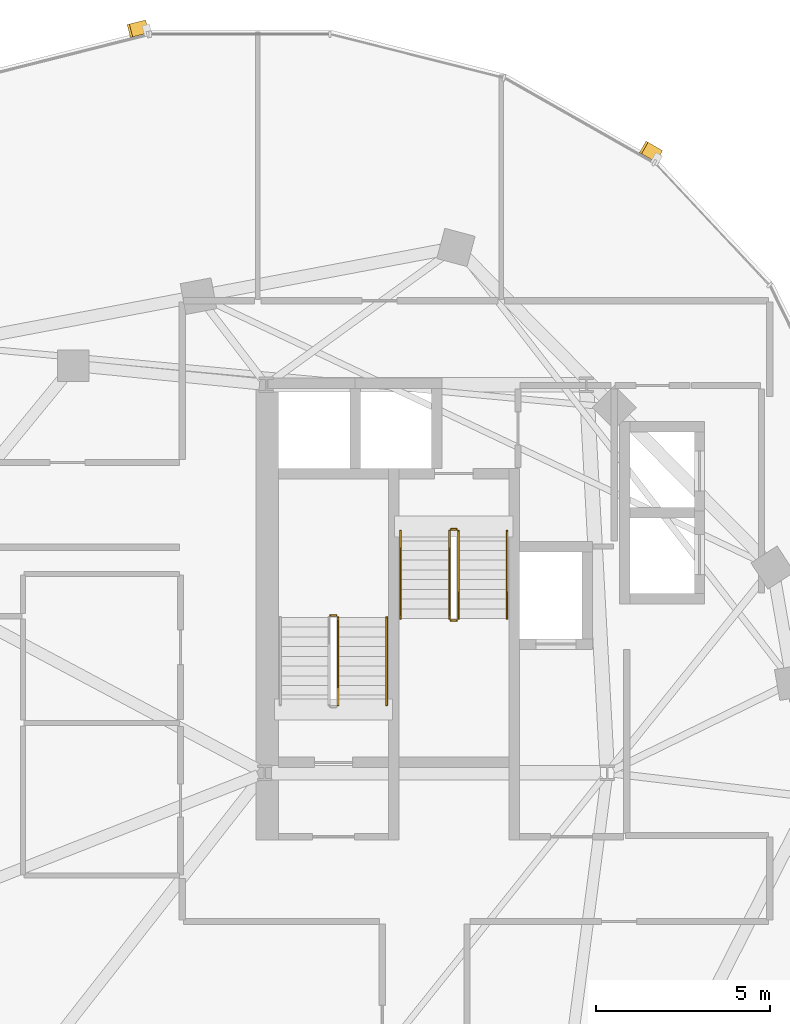
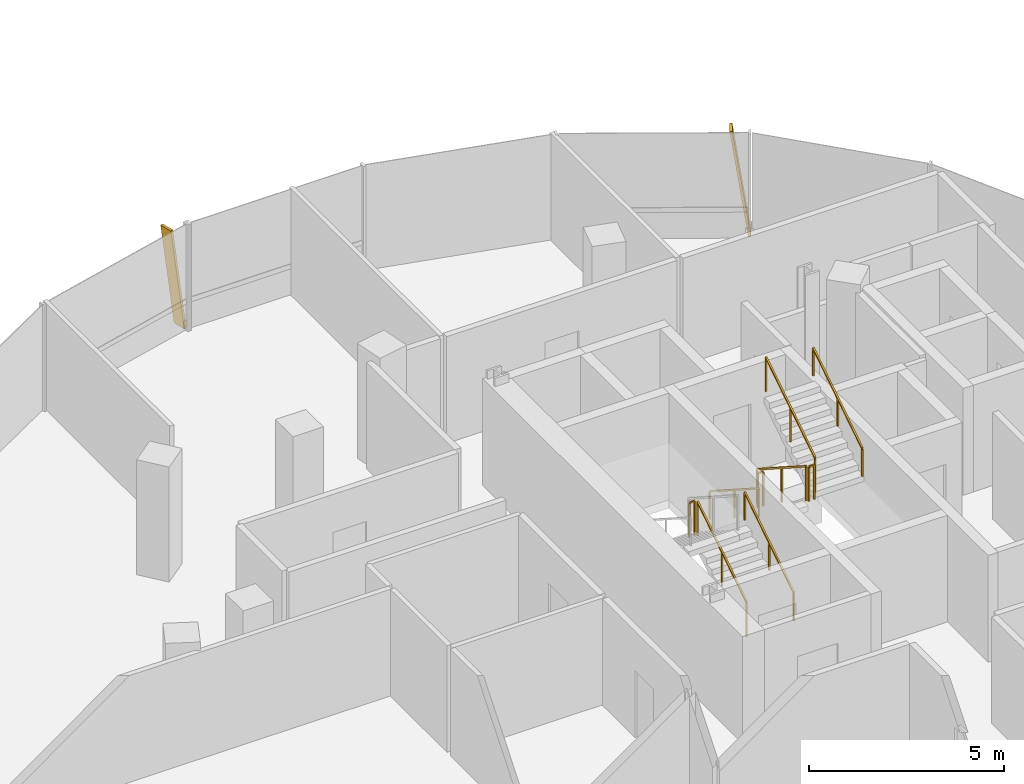
# One storey, part 23 of 25: 9 railings, 2 shading devices.
"""IFC4 building model written with IfcOpenShell, lengths in metres."""

from ifc_helpers import new_model, si_unit, direction, frame, origin, origin_2d, place, context, subcontext, project, spatial, rectangle, extrude, material, material_profile, profile_set, type_object, element, save


model = new_model("IFC4")

# Units and contexts
model_context = context("Model", 3, precision=1e-05, world=origin(), true_north=direction((0.0, 1.0)))
body_context = subcontext(model_context, "Body", "Model", "MODEL_VIEW")
ifc_project = project(units=[si_unit("LENGTHUNIT", "METRE"), si_unit("AREAUNIT", "SQUARE_METRE"), si_unit("VOLUMEUNIT", "CUBIC_METRE"), si_unit("PLANEANGLEUNIT", "RADIAN"), si_unit("MASSUNIT", "GRAM", prefix="KILO"), si_unit("THERMODYNAMICTEMPERATUREUNIT", "KELVIN"), si_unit("POWERUNIT", "WATT")], contexts=[model_context])

# Site, building, storey
site_placement = place(None, origin())
site = spatial("IfcSite", under=ifc_project, at=site_placement, CompositionType="ELEMENT")
building_placement = place(site_placement, origin())
building = spatial("IfcBuilding", under=site, at=building_placement, Name="Cundina Bronze Exchange", CompositionType="ELEMENT")
storey_placement = place(building_placement, frame((0.0, 0.0, 224.199951171875)))
storey = spatial("IfcBuildingStorey", under=building, at=storey_placement, Name="L59", CompositionType="ELEMENT", Elevation=224.199951171875)

# Railings
ifc_material_1 = material(Name="Steel ASTM A36 Painted", Category="steel")
railing_type_1 = type_object("IfcRailingType", Name="RLG-HND-900", PredefinedType="HANDRAIL", material=ifc_material_1)
railing_1_placement = place(storey_placement, frame((-27.7900390625, 5.85009765625, 0.179931640625)))
element("IfcRailing", 1, at=railing_1_placement, inside=storey, type_object=railing_type_1, Name="L59 ST-W1 stair handrail 1", PredefinedType="HANDRAIL", context=body_context, shape_type="SweptSolid", body=[
    extrude(rectangle(XDim=0.048095703125, YDim=0.048095703125, at=origin_2d()), frame((0.0, 0.0, 0.8759765625), z_axis=(0.0, 0.841162588446, 0.540782303519), x_axis=(-1.0, 0.0, 0.0)), (0.0, 0.0, 1.0), 2.995849609375),
    extrude(rectangle(XDim=0.0419921875, YDim=0.0419921875, at=origin_2d()), origin(), (0.0, 0.0, 1.0), 0.851806640625),
    extrude(rectangle(XDim=0.0419921875, YDim=0.0419921875, at=origin_2d()), frame((0.0, 1.260009765625, 0.81005859375)), (0.0, 0.0, 1.0), 0.851806640625),
    extrude(rectangle(XDim=0.0419921875, YDim=0.0419921875, at=origin_2d()), frame((0.0, 2.52001953125, 1.6201171875)), (0.0, 0.0, 1.0), 0.851806640625),
])
railing_2_placement = place(storey_placement, frame((-27.389892578125, 10.85009765625, 0.179931640625)))
element("IfcRailing", 2, at=railing_2_placement, inside=storey, type_object=railing_type_1, Name="L59 ST-W2 stair handrail 1", PredefinedType="HANDRAIL", context=body_context, shape_type="SweptSolid", body=[
    extrude(rectangle(XDim=0.048095703125, YDim=0.048095703125, at=origin_2d()), frame((0.0, 0.0, 0.8759765625), z_axis=(0.0, -0.841162588446, 0.540782303519), x_axis=(1.0, 0.0, 0.0)), (0.0, 0.0, 1.0), 2.995849609375),
    extrude(rectangle(XDim=0.0419921875, YDim=0.0419921875, at=origin_2d()), origin(), (0.0, 0.0, 1.0), 0.851806640625),
    extrude(rectangle(XDim=0.0419921875, YDim=0.0419921875, at=origin_2d()), frame((0.0, -1.260009765625, 0.81005859375)), (0.0, 0.0, 1.0), 0.851806640625),
    extrude(rectangle(XDim=0.0419921875, YDim=0.0419921875, at=origin_2d()), frame((0.0, -2.52001953125, 1.6201171875)), (0.0, 0.0, 1.0), 0.851806640625),
])
railing_3_placement = place(storey_placement, frame((-24.330078125, 8.330078125, 1.97998046875)))
element("IfcRailing", 3, at=railing_3_placement, inside=storey, type_object=railing_type_1, Name="L59 ST-W2 stair handrail 2", PredefinedType="HANDRAIL", context=body_context, shape_type="SweptSolid", body=[
    extrude(rectangle(XDim=0.048095703125, YDim=0.048095703125, at=origin_2d()), frame((0.0, 0.0, 0.8759765625), z_axis=(0.0, 0.841162588446, 0.540782303519), x_axis=(-1.0, 0.0, 0.0)), (0.0, 0.0, 1.0), 2.995849609375),
    extrude(rectangle(XDim=0.0419921875, YDim=0.0419921875, at=origin_2d()), origin(), (0.0, 0.0, 1.0), 0.851806640625),
    extrude(rectangle(XDim=0.0419921875, YDim=0.0419921875, at=origin_2d()), frame((0.0, 1.260009765625, 0.81005859375)), (0.0, 0.0, 1.0), 0.851806640625),
    extrude(rectangle(XDim=0.0419921875, YDim=0.0419921875, at=origin_2d()), frame((0.0, 2.52001953125, 1.6201171875)), (0.0, 0.0, 1.0), 0.851806640625),
])
railing_type_2 = type_object("IfcRailingType", Name="RLG-STG-1100", PredefinedType="GUARDRAIL", material=ifc_material_1)
railing_4_placement = place(storey_placement, frame((-29.18994140625, 5.85009765625, 0.179931640625)))
element("IfcRailing", 4, at=railing_4_placement, inside=storey, type_object=railing_type_2, Name="L59 ST-W1 stair guard 1", PredefinedType="GUARDRAIL", context=body_context, shape_type="SweptSolid", body=[
    extrude(rectangle(XDim=0.048095703125, YDim=0.048095703125, at=origin_2d()), frame((0.0, 0.0, 1.076171875), z_axis=(0.0, 0.841162588446, 0.540782303519), x_axis=(-1.0, 0.0, 0.0)), (0.0, 0.0, 1.0), 2.995849609375),
    extrude(rectangle(XDim=0.0419921875, YDim=0.0419921875, at=origin_2d()), origin(), (0.0, 0.0, 1.0), 1.052001953125),
    extrude(rectangle(XDim=0.0419921875, YDim=0.0419921875, at=origin_2d()), frame((0.0, 1.260009765625, 0.81005859375)), (0.0, 0.0, 1.0), 1.052001953125),
    extrude(rectangle(XDim=0.0419921875, YDim=0.0419921875, at=origin_2d()), frame((0.0, 2.52001953125, 1.6201171875)), (0.0, 0.0, 1.0), 1.052001953125),
])
railing_5_placement = place(storey_placement, frame((-29.239990234375, 8.419921875, 1.800048828125)))
element("IfcRailing", 5, at=railing_5_placement, inside=storey, type_object=railing_type_2, Name="L59 ST-W1 stair guard 2", PredefinedType="GUARDRAIL", context=body_context, shape_type="SweptSolid", body=[
    extrude(rectangle(XDim=0.048095703125, YDim=0.048095703125, at=origin_2d()), frame((0.0, 0.0, 1.076171875), z_axis=(-1.0, 0.0, 0.0), x_axis=(0.0, -1.0, 0.0)), (0.0, 0.0, 1.0), 0.159912109375),
    extrude(rectangle(XDim=0.0419921875, YDim=0.0419921875, at=origin_2d()), origin(), (0.0, 0.0, 1.0), 1.052001953125),
    extrude(rectangle(XDim=0.0419921875, YDim=0.0419921875, at=origin_2d()), frame((-0.159912109375, 0.0, 0.0)), (0.0, 0.0, 1.0), 1.052001953125),
])
railing_6_placement = place(storey_placement, frame((-25.989990234375, 10.85009765625, 0.179931640625)))
element("IfcRailing", 6, at=railing_6_placement, inside=storey, type_object=railing_type_2, Name="L59 ST-W2 stair guard 1", PredefinedType="GUARDRAIL", context=body_context, shape_type="SweptSolid", body=[
    extrude(rectangle(XDim=0.048095703125, YDim=0.048095703125, at=origin_2d()), frame((0.0, 0.0, 1.076171875), z_axis=(0.0, -0.841162588446, 0.540782303519), x_axis=(1.0, 0.0, 0.0)), (0.0, 0.0, 1.0), 2.995849609375),
    extrude(rectangle(XDim=0.0419921875, YDim=0.0419921875, at=origin_2d()), origin(), (0.0, 0.0, 1.0), 1.052001953125),
    extrude(rectangle(XDim=0.0419921875, YDim=0.0419921875, at=origin_2d()), frame((0.0, -1.260009765625, 0.81005859375)), (0.0, 0.0, 1.0), 1.052001953125),
    extrude(rectangle(XDim=0.0419921875, YDim=0.0419921875, at=origin_2d()), frame((0.0, -2.52001953125, 1.6201171875)), (0.0, 0.0, 1.0), 1.052001953125),
])
railing_7_placement = place(storey_placement, frame((-25.93994140625, 8.280029296875, 1.800048828125)))
element("IfcRailing", 7, at=railing_7_placement, inside=storey, type_object=railing_type_2, Name="L59 ST-W2 stair guard 2", PredefinedType="GUARDRAIL", context=body_context, shape_type="SweptSolid", body=[
    extrude(rectangle(XDim=0.048095703125, YDim=0.048095703125, at=origin_2d()), frame((0.0, 0.0, 1.076171875), z_axis=(1.0, 0.0, 0.0), x_axis=(0.0, 1.0, 0.0)), (0.0, 0.0, 1.0), 0.159912109375),
    extrude(rectangle(XDim=0.0419921875, YDim=0.0419921875, at=origin_2d()), origin(), (0.0, 0.0, 1.0), 1.052001953125),
    extrude(rectangle(XDim=0.0419921875, YDim=0.0419921875, at=origin_2d()), frame((0.159912109375, 0.0, 0.0)), (0.0, 0.0, 1.0), 1.052001953125),
])
railing_8_placement = place(storey_placement, frame((-25.72998046875, 8.330078125, 1.97998046875)))
element("IfcRailing", 8, at=railing_8_placement, inside=storey, type_object=railing_type_2, Name="L59 ST-W2 stair guard 3", PredefinedType="GUARDRAIL", context=body_context, shape_type="SweptSolid", body=[
    extrude(rectangle(XDim=0.048095703125, YDim=0.048095703125, at=origin_2d()), frame((0.0, 0.0, 1.076171875), z_axis=(0.0, 0.841162588446, 0.540782303519), x_axis=(-1.0, 0.0, 0.0)), (0.0, 0.0, 1.0), 2.995849609375),
    extrude(rectangle(XDim=0.0419921875, YDim=0.0419921875, at=origin_2d()), origin(), (0.0, 0.0, 1.0), 1.052001953125),
    extrude(rectangle(XDim=0.0419921875, YDim=0.0419921875, at=origin_2d()), frame((0.0, 1.260009765625, 0.81005859375)), (0.0, 0.0, 1.0), 1.052001953125),
    extrude(rectangle(XDim=0.0419921875, YDim=0.0419921875, at=origin_2d()), frame((0.0, 2.52001953125, 1.6201171875)), (0.0, 0.0, 1.0), 1.052001953125),
])
railing_9_placement = place(storey_placement, frame((-25.93994140625, 10.89990234375, 0.0)))
element("IfcRailing", 9, at=railing_9_placement, inside=storey, type_object=railing_type_2, Name="L59 ST-W2 stair guard 4", PredefinedType="GUARDRAIL", context=body_context, shape_type="SweptSolid", body=[
    extrude(rectangle(XDim=0.048095703125, YDim=0.048095703125, at=origin_2d()), frame((0.0, 0.0, 1.076171875), z_axis=(1.0, 0.0, 0.0), x_axis=(0.0, 1.0, 0.0)), (0.0, 0.0, 1.0), 0.159912109375),
    extrude(rectangle(XDim=0.0419921875, YDim=0.0419921875, at=origin_2d()), origin(), (0.0, 0.0, 1.0), 1.052001953125),
    extrude(rectangle(XDim=0.0419921875, YDim=0.0419921875, at=origin_2d()), frame((0.159912109375, 0.0, 0.0)), (0.0, 0.0, 1.0), 1.052001953125),
])

# Shading devices
ifc_material_2 = material(Name="Anodised Bronze Aluminium 6063-T6", Category="aluminium")
ifc_material_profile = material_profile(ifc_material_2, rectangle(XDim=0.070068359375, YDim=0.3798828125, at=origin_2d()), Name="FIN70X380", Category="aluminium")
ifc_profile_set = profile_set([ifc_material_profile], Name="Anodised Bronze Aluminium 6063-T6")
shading_device_type = type_object("IfcShadingDeviceType", Name="SHD-FIN-BRZ380", PredefinedType="USERDEFINED", material=ifc_profile_set)
for number, where, z_axis, x_axis, name in (
    (10, (-19.984375, 21.635498046875, 0.02001953125), (-0.125189514072, 0.071087145125, 0.989582843103), (0.860526986551, -0.488638423358, 0.143964567292), "L59 Diagonal Bronze Solar Fin 5"),
    (11, (-34.705810546875, 25.344482421875, 0.02001953125), (-0.139611891367, -0.03514090606, 0.989582556693), (0.959650042543, 0.24154799183, 0.143966536007), "L59 Diagonal Bronze Solar Fin 1"),
):
    element("IfcShadingDevice", number, at=place(storey_placement, frame(where, z_axis=z_axis, x_axis=x_axis)), inside=storey, type_object=shading_device_type, Name=name, ObjectType="FIN", PredefinedType="USERDEFINED", context=body_context, shape_type="SweptSolid", body=[
        extrude(rectangle(XDim=0.070068359375, YDim=0.3798828125, at=origin_2d()), origin(), (0.0, 0.0, 1.0), 3.334716796875),
    ])

save(model, "model.ifc")
